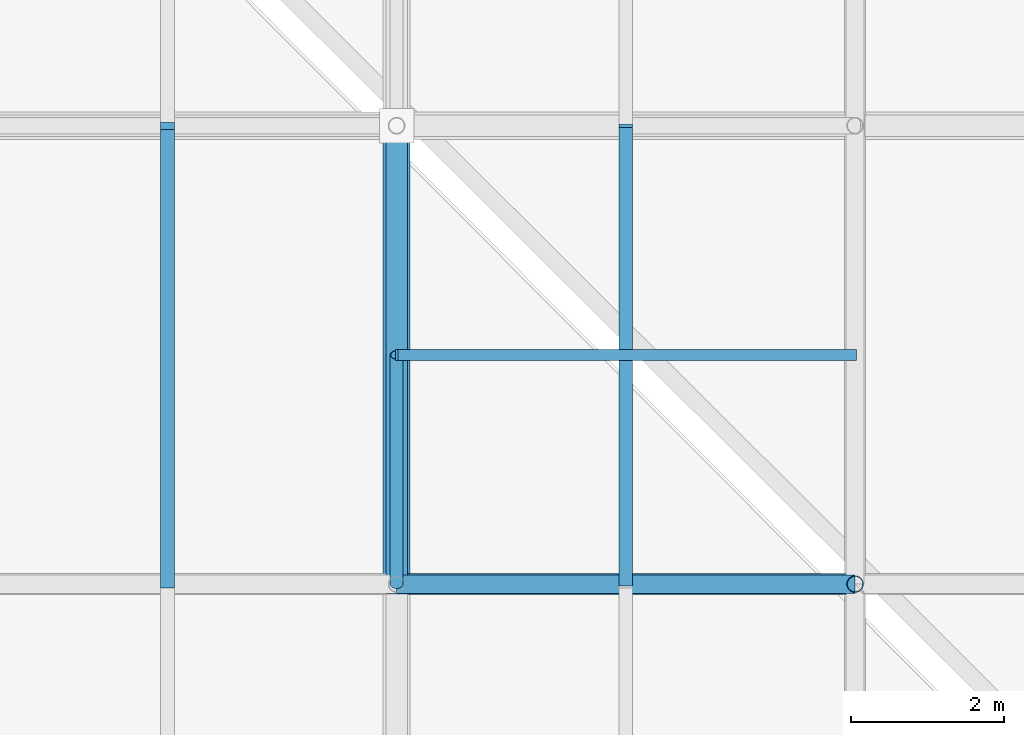
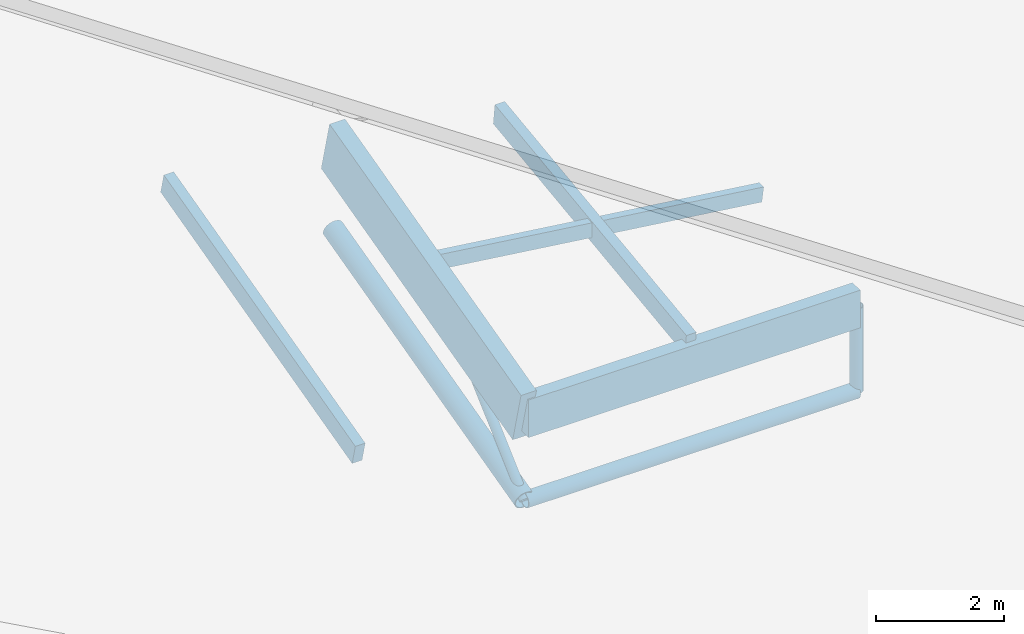
# One storey, part 29 of 80: 9 members.
"""IFC4 building model written with IfcOpenShell, lengths in metres."""

from ifc_helpers import new_model, si_unit, direction, frame, origin, origin_2d, place, context, subcontext, project, spatial, rectangle, hollow_circle, extrude, material, material_profile, profile_set, type_object, element, save


model = new_model("IFC4")

# Units and contexts
model_context = context("Model", 3, precision=1e-05, world=origin(), true_north=direction((0.0, 1.0)))
body_context = subcontext(model_context, "Body", "Model", "MODEL_VIEW")
ifc_project = project(units=[si_unit("LENGTHUNIT", "METRE"), si_unit("AREAUNIT", "SQUARE_METRE"), si_unit("VOLUMEUNIT", "CUBIC_METRE"), si_unit("PLANEANGLEUNIT", "RADIAN"), si_unit("MASSUNIT", "GRAM", prefix="KILO"), si_unit("THERMODYNAMICTEMPERATUREUNIT", "KELVIN"), si_unit("POWERUNIT", "WATT")], contexts=[model_context])

# Site, building, storey
site_placement = place(None, origin())
site = spatial("IfcSite", under=ifc_project, at=site_placement, CompositionType="ELEMENT")
building_placement = place(site_placement, origin())
building = spatial("IfcBuilding", under=site, at=building_placement, Name="Solmara Park Aquatics Centre", CompositionType="ELEMENT")
storey_placement = place(building_placement, frame((0.0, 0.0, 22.800048828125)))
storey = spatial("IfcBuildingStorey", under=building, at=storey_placement, Name="RF", CompositionType="ELEMENT", Elevation=22.800048828125)

# Members
ifc_material_1 = material(Name="Structural Steel S355", Category="steel")
ifc_material_profile_1 = material_profile(ifc_material_1, hollow_circle(Radius=0.084228515625, WallThickness=0.008056640625, at=origin_2d()), Name="CHS 168.3x8")
ifc_profile_set_1 = profile_set([ifc_material_profile_1], Name="Structural Steel S355")
member_type_1 = type_object("IfcMemberType", Name="STR-BRC-CHS168", PredefinedType="BRACE", material=ifc_profile_set_1)
member_1_placement = place(storey_placement, frame((84.60009765625, 18.60009765625, -9.58984375), z_axis=(0.0, 0.736437262703, 0.67650584484), x_axis=(-1.0, 0.0, 0.0)))
element("IfcMember", 1, at=member_1_placement, inside=storey, type_object=member_type_1, Name="Roof Truss Web Diagonal Y 1922", PredefinedType="BRACE", context=body_context, shape_type="SweptSolid", body=[
    extrude(hollow_circle(Radius=0.084228515625, WallThickness=0.008056640625, at=origin_2d()), origin(), (0.0, 0.0, 1.0), 4.07373046875),
])
ifc_material_profile_2 = material_profile(ifc_material_1, hollow_circle(Radius=0.136474609375, WallThickness=0.012451171875, at=origin_2d()), Name="CHS 273x12.5")
ifc_profile_set_2 = profile_set([ifc_material_profile_2], Name="Structural Steel S355")
member_type_2 = type_object("IfcMemberType", Name="STR-CHD-CHS273", PredefinedType="CHORD", material=ifc_profile_set_2)
member_2_placement = place(storey_placement, frame((84.60009765625, 18.60009765625, -9.58984375), z_axis=(1.0, 0.0, 0.0), x_axis=(0.0, 1.0, 0.0)))
element("IfcMember", 2, at=member_2_placement, inside=storey, type_object=member_type_2, Name="Steel Roof Truss Bottom Chord X 0138", PredefinedType="CHORD", context=body_context, shape_type="SweptSolid", body=[
    extrude(hollow_circle(Radius=0.136474609375, WallThickness=0.012451171875, at=origin_2d()), origin(), (0.0, 0.0, 1.0), 6.0),
])
ifc_material_profile_3 = material_profile(ifc_material_1, hollow_circle(Radius=0.177734375, WallThickness=0.01611328125, at=origin_2d()), Name="CHS 355.6x16")
ifc_profile_set_3 = profile_set([ifc_material_profile_3], Name="Structural Steel S355")
member_type_3 = type_object("IfcMemberType", Name="STR-CHD-CHS355", PredefinedType="CHORD", material=ifc_profile_set_3)
member_3_placement = place(storey_placement, frame((84.60009765625, 18.60009765625, -9.58984375), z_axis=(0.0, 0.968145594442, 0.250387914969), x_axis=(-1.0, 0.0, 0.0)))
element("IfcMember", 3, at=member_3_placement, inside=storey, type_object=member_type_3, Name="Steel Roof Truss Bottom Chord Y 0940", PredefinedType="CHORD", context=body_context, shape_type="SweptSolid", body=[
    extrude(hollow_circle(Radius=0.177734375, WallThickness=0.01611328125, at=origin_2d()), origin(), (0.0, 0.0, 1.0), 6.197509765625),
])
ifc_material_2 = material(Name="Glulam Timber GL28h", Category="wood")
ifc_material_profile_4 = material_profile(ifc_material_2, rectangle(XDim=0.239990234375, YDim=0.719970703125, at=origin_2d()), Name="GL28h 240x720")
ifc_profile_set_4 = profile_set([ifc_material_profile_4], Name="Glulam Timber GL28h")
member_type_4 = type_object("IfcMemberType", Name="STR-CHD-GL240x720", PredefinedType="CHORD", material=ifc_profile_set_4)
member_4_placement = place(storey_placement, frame((84.60009765625, 18.60009765625, -7.9697265625), z_axis=(1.0, 0.0, 0.0), x_axis=(0.0, 1.0, 0.0)))
element("IfcMember", 4, at=member_4_placement, inside=storey, type_object=member_type_4, Name="Glulam Roof Truss Top Chord X 0137", PredefinedType="CHORD", context=body_context, shape_type="SweptSolid", body=[
    extrude(rectangle(XDim=0.239990234375, YDim=0.719970703125, at=origin_2d()), origin(), (0.0, 0.0, 1.0), 6.0),
])
ifc_material_profile_5 = material_profile(ifc_material_2, rectangle(XDim=0.280029296875, YDim=1.0400390625, at=origin_2d()), Name="GL28h 280x1040")
ifc_profile_set_5 = profile_set([ifc_material_profile_5], Name="Glulam Timber GL28h")
member_type_5 = type_object("IfcMemberType", Name="STR-CHD-GL280x1040", PredefinedType="CHORD", material=ifc_profile_set_5)
member_5_placement = place(storey_placement, frame((84.60009765625, 18.60009765625, -7.9697265625), z_axis=(0.0, 0.968145594442, 0.250387914969), x_axis=(-1.0, 0.0, 0.0)))
element("IfcMember", 5, at=member_5_placement, inside=storey, type_object=member_type_5, Name="Glulam Roof Truss Top Chord Y 0939", PredefinedType="CHORD", context=body_context, shape_type="SweptSolid", body=[
    extrude(rectangle(XDim=0.280029296875, YDim=1.0400390625, at=origin_2d()), origin(), (0.0, 0.0, 1.0), 6.197509765625),
])
ifc_material_profile_6 = material_profile(ifc_material_2, rectangle(XDim=0.139892578125, YDim=0.280029296875, at=origin_2d()), Name="GL28h 140x280")
ifc_profile_set_6 = profile_set([ifc_material_profile_6], Name="Glulam Timber GL28h")
member_type_6 = type_object("IfcMemberType", Name="STR-PRL-GL140x280", PredefinedType="PURLIN", material=ifc_profile_set_6)
member_6_placement = place(storey_placement, frame((84.60009765625, 21.60009765625, -6.85400390625), z_axis=(0.991747604197, 0.0, -0.128205653423), x_axis=(0.0, 1.0, 0.0)))
element("IfcMember", 6, at=member_6_placement, inside=storey, type_object=member_type_6, Name="Glulam Secondary Roof Purlin 1911", PredefinedType="PURLIN", context=body_context, shape_type="SweptSolid", body=[
    extrude(rectangle(XDim=0.139892578125, YDim=0.280029296875, at=origin_2d()), origin(), (0.0, 0.0, 1.0), 6.0498046875),
])
ifc_material_profile_7 = material_profile(ifc_material_2, rectangle(XDim=0.179931640625, YDim=0.39990234375, at=origin_2d()), Name="GL28h 180x400")
ifc_profile_set_7 = profile_set([ifc_material_profile_7], Name="Glulam Timber GL28h")
member_type_7 = type_object("IfcMemberType", Name="STR-PRL-GL180x400", PredefinedType="PURLIN", material=ifc_profile_set_7)
member_7_placement = place(storey_placement, frame((81.60009765625, 18.60009765625, -7.649658203125), z_axis=(0.0, 0.968155143395, 0.250350990246), x_axis=(-1.0, 0.0, 0.0)))
element("IfcMember", 7, at=member_7_placement, inside=storey, type_object=member_type_7, Name="Glulam Roof Purlin 1714", PredefinedType="PURLIN", context=body_context, shape_type="SweptSolid", body=[
    extrude(rectangle(XDim=0.179931640625, YDim=0.39990234375, at=origin_2d()), origin(), (0.0, 0.0, 1.0), 6.197265625),
])
member_8_placement = place(storey_placement, frame((87.60009765625, 18.60009765625, -7.649658203125), z_axis=(0.0, 0.991747604197, 0.128205653423), x_axis=(-1.0, 0.0, 0.0)))
element("IfcMember", 8, at=member_8_placement, inside=storey, type_object=member_type_7, Name="Glulam Roof Purlin 1742", PredefinedType="PURLIN", context=body_context, shape_type="SweptSolid", body=[
    extrude(rectangle(XDim=0.179931640625, YDim=0.39990234375, at=origin_2d()), origin(), (0.0, 0.0, 1.0), 6.0498046875),
])
ifc_material_profile_8 = material_profile(ifc_material_1, hollow_circle(Radius=0.109619140625, WallThickness=0.010009765625, at=origin_2d()), Name="CHS 219.1x10")
ifc_profile_set_8 = profile_set([ifc_material_profile_8], Name="Structural Steel S355")
member_type_8 = type_object("IfcMemberType", Name="STR-PST-CHS219", PredefinedType="POST", material=ifc_profile_set_8)
member_9_placement = place(storey_placement, frame((90.60009765625, 18.60009765625, -9.58984375), z_axis=(0.0, 0.0, 1.0), x_axis=(1.0, 0.0, 0.0)))
element("IfcMember", 9, at=member_9_placement, inside=storey, type_object=member_type_8, Name="Roof Truss Web Post 1294", PredefinedType="POST", context=body_context, shape_type="SweptSolid", body=[
    extrude(hollow_circle(Radius=0.109619140625, WallThickness=0.010009765625, at=origin_2d()), origin(), (0.0, 0.0, 1.0), 1.6201171875),
])

save(model, "model.ifc")
